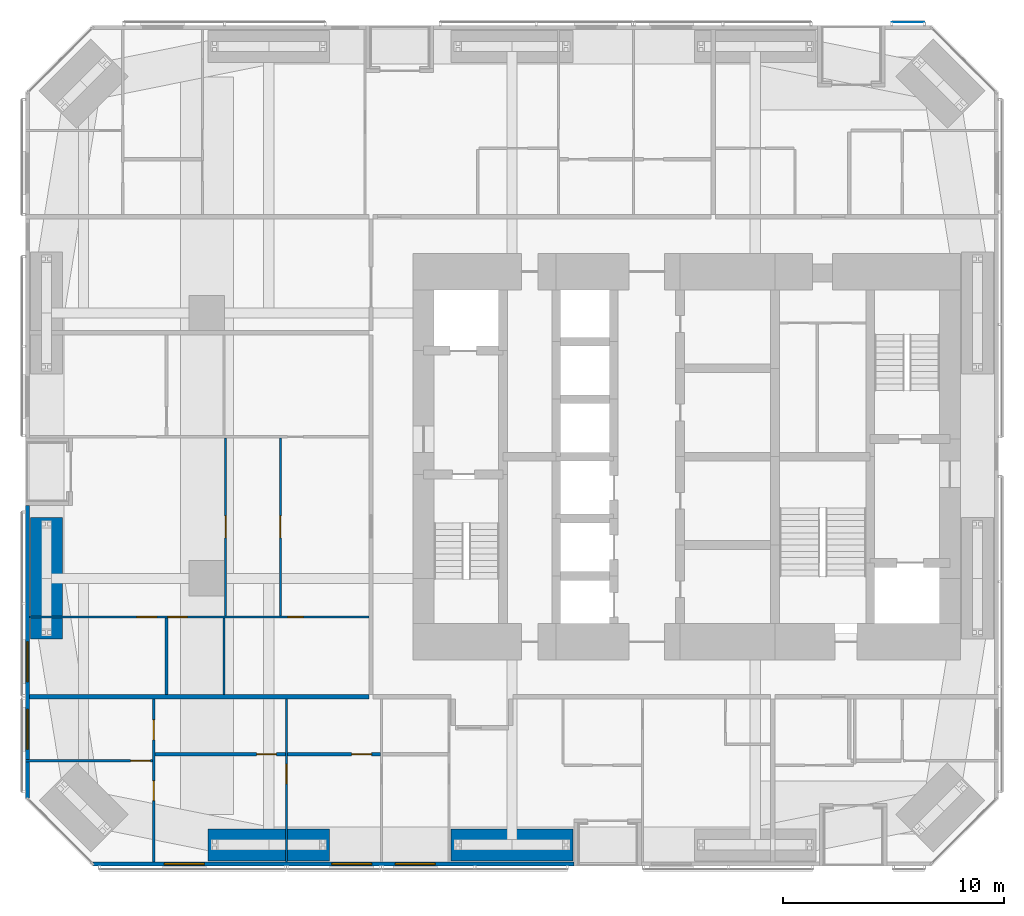
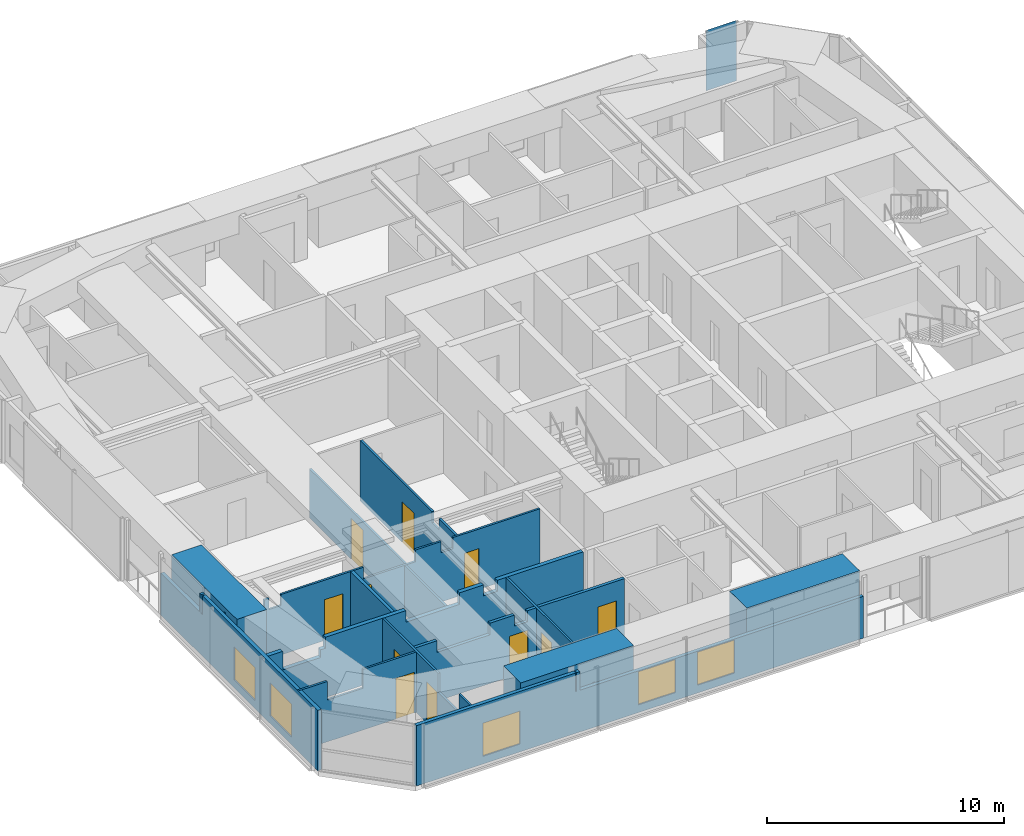
# One storey, part 17 of 24: 16 walls, 11 doors, 5 windows, 1 plate, 16 openings, 1 element without a shape of its own.
"""IFC4 building model written with IfcOpenShell, lengths in metres."""

from ifc_helpers import new_model, si_unit, direction, frame, frame_2d, origin, origin_2d, place, context, subcontext, project, spatial, polyline, rectangle, outline, extrude, material, layer, layer_set, constituent, constituent_set, type_object, element, fill, aggregate, save


model = new_model("IFC4")

# Units and contexts
model_context = context("Model", 3, precision=1e-05, world=origin(), true_north=direction((0.0, 1.0)))
body_context = subcontext(model_context, "Body", "Model", "MODEL_VIEW")
ifc_project = project(units=[si_unit("LENGTHUNIT", "METRE"), si_unit("AREAUNIT", "SQUARE_METRE"), si_unit("VOLUMEUNIT", "CUBIC_METRE"), si_unit("PLANEANGLEUNIT", "RADIAN"), si_unit("MASSUNIT", "GRAM", prefix="KILO")], contexts=[model_context])

# Site, building, storey
site_placement = place(None, origin())
site = spatial("IfcSite", under=ifc_project, at=site_placement, CompositionType="ELEMENT")
building_placement = place(site_placement, origin())
building = spatial("IfcBuilding", under=site, at=building_placement, Name="Jalousie Tower", CompositionType="ELEMENT")
storey_placement = place(building_placement, frame((0.0, 0.0, 61.199951171875)))
storey = spatial("IfcBuildingStorey", under=building, at=storey_placement, Name="L16", CompositionType="ELEMENT", Elevation=61.199951171875)

# Curtain wall, plate
ifc_material_1 = material(Name="Perforated aluminium sheet", Category="aluminium")
curtain_wall_type = type_object("IfcCurtainWallType", Name="SOLAR SCREEN SS-1", PredefinedType="USERDEFINED", material=ifc_material_1)
curtain_wall_placement = place(storey_placement, origin())
curtain_wall = element("IfcCurtainWall", 1, at=curtain_wall_placement, inside=storey, type_object=curtain_wall_type, Name="Solar screen L16", ObjectType="SOLAR SCREEN SS-1", PredefinedType="USERDEFINED")
ifc_material_2 = material(Name="Perforated aluminium sheet", Category="aluminium")
ifc_layer_1 = layer(ifc_material_2, 0.006103515625)
ifc_layer_set_1 = layer_set([ifc_layer_1], Name="Perforated aluminium sheet")
plate_type = type_object("IfcPlateType", Name="SOLAR SCREEN SS-1 PANEL", PredefinedType="CURTAIN_PANEL", material=ifc_layer_set_1)
plate_placement = place(storey_placement, frame((41.9111328125, 38.150390625, 0.0), z_axis=(0.0, 0.0, 1.0), x_axis=(-1.0, 0.0, 0.0)))
plate = element("IfcPlate", 2, at=plate_placement, type_object=plate_type, Name="SS1 perforated panel 1", PredefinedType="CURTAIN_PANEL", context=body_context, shape_type="SweptSolid", body=[
    extrude(rectangle(XDim=1.47509765625, YDim=0.006103515625, at=origin_2d()), origin(), (0.0, 0.0, 1.0), 3.110107421875),
])
aggregate(curtain_wall, [plate])

# Wall, opening, door
ifc_material_3 = material(Name="Concrete block ASTM C90", Category="concrete")
ifc_constituent_1 = constituent(ifc_material_3, Name="Body")
ifc_material_4 = material(Name="Render")
ifc_constituent_2 = constituent(ifc_material_4, Name="Finish")
ifc_constituent_set_1 = constituent_set(constituents=[ifc_constituent_1, ifc_constituent_2])
wall_type_1 = type_object("IfcWallType", Name="BATHROOM WALL 150", PredefinedType="PLUMBINGWALL", material=ifc_constituent_set_1)
wall_1_placement = place(storey_placement, frame((7.85009765625, 5.050048828125, 0.0), z_axis=(0.0, 0.0, 1.0), x_axis=(1.0, 0.0, 0.0)))
wall_1 = element("IfcWall", 3, at=wall_1_placement, inside=storey, type_object=wall_type_1, Name="Bathroom Wall 150 L16", PredefinedType="PLUMBINGWALL", context=body_context, shape_type="SweptSolid", body=[
    extrude(outline(polyline([(0.0, 0.0), (5.89990234375, 0.0), (5.89990234375, 3.110107421875), (5.46240234375, 3.110107421875), (5.46240234375, 2.541015625), (4.837646484375, 2.541015625), (4.837646484375, 3.110107421875), (3.635009765625, 3.110107421875), (3.635009765625, 2.510009765625), (1.06494140625, 2.510009765625), (1.06494140625, 3.110107421875), (0.0, 3.110107421875), (0.0, 0.0)])), frame((0.0, 0.074951171875, 0.0), z_axis=(0.0, -1.0, 0.0), x_axis=(1.0, 0.0, 0.0)), (0.0, 0.0, 1.0), 0.14990234375),
])
opening_1_placement = place(wall_1_placement, frame((4.60009765625, 0.0, 0.0)))
opening_1 = element("IfcOpeningElement", 4, at=opening_1_placement, cuts=wall_1, Name="Opening D3", PredefinedType="OPENING", context=body_context, shape_type="SweptSolid", body=[
    extrude(rectangle(XDim=0.89990234375, YDim=2.10009765625, at=frame_2d((0.449951171875, 1.050048828125))), frame((0.0, 0.0849609375, 0.0), z_axis=(0.0, -1.0, 0.0), x_axis=(1.0, 0.0, 0.0)), (0.0, 0.0, 1.0), 0.169921875),
])
ifc_material_5 = material(Name="Timber door", Category="wood")
door_type_1 = type_object("IfcDoorType", Name="BATHROOM DOOR 900", OperationType="SINGLE_SWING_LEFT", PredefinedType="DOOR", material=ifc_material_5)
door_1_placement = place(opening_1_placement, origin())
door_1 = element("IfcDoor", 5, at=door_1_placement, inside=storey, type_object=door_type_1, Name="Apartment 1601 bedroom 2 bathroom door", OperationType="SINGLE_SWING_RIGHT", OverallHeight=2.10009765625, OverallWidth=0.89990234375, PredefinedType="DOOR", context=body_context, shape_type="SweptSolid", body=[
    extrude(rectangle(XDim=0.89990234375, YDim=2.10009765625, at=frame_2d((0.449951171875, 1.050048828125))), frame((0.0, 0.02490234375, 0.0), z_axis=(0.0, -1.0, 0.0), x_axis=(1.0, 0.0, 0.0)), (0.0, 0.0, 1.0), 0.050048828125),
])
fill(opening_1, door_1)

wall_2_placement = place(storey_placement, frame((13.85009765625, 5.050048828125, 0.0), z_axis=(0.0, 0.0, 1.0), x_axis=(1.0, 0.0, 0.0)))
wall_2 = element("IfcWall", 6, at=wall_2_placement, inside=storey, type_object=wall_type_1, Name="Bathroom Wall 150 L16", PredefinedType="PLUMBINGWALL", context=body_context, shape_type="SweptSolid", body=[
    extrude(rectangle(XDim=4.199951171875, YDim=0.14990234375, at=frame_2d((2.10009765625, 0.0))), origin(), (0.0, 0.0, 1.0), 3.110107421875),
])
opening_2_placement = place(wall_2_placement, frame((2.89990234375, 0.0, 0.0)))
opening_2 = element("IfcOpeningElement", 7, at=opening_2_placement, cuts=wall_2, Name="Opening D3", PredefinedType="OPENING", context=body_context, shape_type="SweptSolid", body=[
    extrude(rectangle(XDim=0.89990234375, YDim=2.10009765625, at=frame_2d((0.449951171875, 1.050048828125))), frame((0.0, 0.0849609375, 0.0), z_axis=(0.0, -1.0, 0.0), x_axis=(1.0, 0.0, 0.0)), (0.0, 0.0, 1.0), 0.169921875),
])
door_2_placement = place(opening_2_placement, origin())
door_2 = element("IfcDoor", 8, at=door_2_placement, inside=storey, type_object=door_type_1, Name="Apartment 1601 bedroom 3 bathroom door", OperationType="SINGLE_SWING_RIGHT", OverallHeight=2.10009765625, OverallWidth=0.89990234375, PredefinedType="DOOR", context=body_context, shape_type="SweptSolid", body=[
    extrude(rectangle(XDim=0.89990234375, YDim=2.10009765625, at=frame_2d((0.449951171875, 1.050048828125))), frame((0.0, 0.02490234375, 0.0), z_axis=(0.0, -1.0, 0.0), x_axis=(1.0, 0.0, 0.0)), (0.0, 0.0, 1.0), 0.050048828125),
])
fill(opening_2, door_2)

# Wall
wall_3_placement = place(storey_placement, frame((8.375, 7.75, 0.0), z_axis=(0.0, 0.0, 1.0), x_axis=(0.0, 1.0, 0.0)))
element("IfcWall", 9, at=wall_3_placement, inside=storey, type_object=wall_type_1, Name="Bathroom Wall 150 L16", PredefinedType="PLUMBINGWALL", context=body_context, shape_type="SweptSolid", body=[
    extrude(rectangle(XDim=3.449951171875, YDim=0.14990234375, at=frame_2d((1.72509765625, 0.0))), origin(), (0.0, 0.0, 1.0), 3.110107421875),
])

# Wall, openings, windows
ifc_material_6 = material(Name="Concrete f'c 40 MPa", Category="concrete")
ifc_constituent_3 = constituent(ifc_material_6, Name="Body")
ifc_material_7 = material(Name="Render, pastel coral")
ifc_constituent_4 = constituent(ifc_material_7, Name="Finish")
ifc_constituent_set_2 = constituent_set(constituents=[ifc_constituent_3, ifc_constituent_4])
wall_type_2 = type_object("IfcWallType", Name="EXTERNAL WALL 175 CORAL RENDER", PredefinedType="SOLIDWALL", material=ifc_constituent_set_2)
wall_4_placement = place(storey_placement, frame((5.05126953125, 0.08740234375, 0.0), z_axis=(0.0, 0.0, 1.0), x_axis=(1.0, 0.0, 0.0)))
wall_4 = element("IfcWall", 10, at=wall_4_placement, inside=storey, type_object=wall_type_2, Name="External Wall 175 Coral Render L16", PredefinedType="SOLIDWALL", context=body_context, shape_type="SweptSolid", body=[
    extrude(outline(polyline([(0.0, 0.0), (21.748779296875, 0.0), (21.748779296875, 2.150146484375), (7.94873046875, 2.150146484375), (7.94873046875, 3.110107421875), (7.79296875, 3.110107421875), (7.79296875, 2.150146484375), (7.74462890625, 2.150146484375), (7.74462890625, 3.110107421875), (0.0, 3.110107421875), (0.0, 0.0)])), frame((0.0, 0.08740234375, 0.0), z_axis=(0.0, -1.0, 0.0), x_axis=(1.0, 0.0, 0.0)), (0.0, 0.0, 1.0), 0.175048828125),
])
opening_3_placement = place(wall_4_placement, frame((3.233642578125, 0.0, 0.39990234375)))
opening_3 = element("IfcOpeningElement", 11, at=opening_3_placement, cuts=wall_4, Name="Opening W-BED170", PredefinedType="OPENING", context=body_context, shape_type="SweptSolid", body=[
    extrude(rectangle(XDim=1.800048828125, YDim=1.699951171875, at=frame_2d((0.89990234375, 0.85009765625))), frame((0.0, 0.097412109375, 0.0), z_axis=(0.0, -1.0, 0.0), x_axis=(1.0, 0.0, 0.0)), (0.0, 0.0, 1.0), 0.195068359375),
])
opening_4_placement = place(wall_4_placement, frame((10.80615234375, 0.0, 0.39990234375)))
opening_4 = element("IfcOpeningElement", 12, at=opening_4_placement, cuts=wall_4, Name="Opening W-BED170", PredefinedType="OPENING", context=body_context, shape_type="SweptSolid", body=[
    extrude(rectangle(XDim=1.800048828125, YDim=1.699951171875, at=frame_2d((0.89990234375, 0.85009765625))), frame((0.0, 0.097412109375, 0.0), z_axis=(0.0, -1.0, 0.0), x_axis=(1.0, 0.0, 0.0)), (0.0, 0.0, 1.0), 0.195068359375),
])
opening_5_placement = place(wall_4_placement, frame((13.673583984375, 0.0, 0.39990234375)))
opening_5 = element("IfcOpeningElement", 13, at=opening_5_placement, cuts=wall_4, Name="Opening W-BED170", PredefinedType="OPENING", context=body_context, shape_type="SweptSolid", body=[
    extrude(rectangle(XDim=1.800048828125, YDim=1.699951171875, at=frame_2d((0.89990234375, 0.85009765625))), frame((0.0, 0.097412109375, 0.0), z_axis=(0.0, -1.0, 0.0), x_axis=(1.0, 0.0, 0.0)), (0.0, 0.0, 1.0), 0.195068359375),
])
ifc_material_8 = material(Name="Aluminium frame, impact-rated glazing", Category="aluminium")
window_type = type_object("IfcWindowType", Name="WINDOW BED 1800x1700", PartitioningType="SINGLE_PANEL", PredefinedType="WINDOW", material=ifc_material_8)
window_1_placement = place(opening_3_placement, origin())
window_1 = element("IfcWindow", 14, at=window_1_placement, inside=storey, type_object=window_type, Name="Apartment 1601 bedroom 2 window", OverallHeight=1.699951171875, OverallWidth=1.800048828125, PartitioningType="SINGLE_PANEL", PredefinedType="WINDOW", context=body_context, shape_type="SweptSolid", body=[
    extrude(rectangle(XDim=1.800048828125, YDim=1.699951171875, at=frame_2d((0.89990234375, 0.85009765625))), frame((0.0, 0.030029296875, 0.0), z_axis=(0.0, -1.0, 0.0), x_axis=(1.0, 0.0, 0.0)), (0.0, 0.0, 1.0), 0.06005859375),
])
fill(opening_3, window_1)
window_2_placement = place(opening_4_placement, origin())
window_2 = element("IfcWindow", 15, at=window_2_placement, inside=storey, type_object=window_type, Name="Apartment 1601 bedroom 3 window", OverallHeight=1.699951171875, OverallWidth=1.800048828125, PartitioningType="SINGLE_PANEL", PredefinedType="WINDOW", context=body_context, shape_type="SweptSolid", body=[
    extrude(rectangle(XDim=1.800048828125, YDim=1.699951171875, at=frame_2d((0.89990234375, 0.85009765625))), frame((0.0, 0.030029296875, 0.0), z_axis=(0.0, -1.0, 0.0), x_axis=(1.0, 0.0, 0.0)), (0.0, 0.0, 1.0), 0.06005859375),
])
fill(opening_4, window_2)
window_3_placement = place(opening_5_placement, origin())
window_3 = element("IfcWindow", 16, at=window_3_placement, inside=storey, type_object=window_type, Name="Apartment 1601 bedroom 4 window", OverallHeight=1.699951171875, OverallWidth=1.800048828125, PartitioningType="SINGLE_PANEL", PredefinedType="WINDOW", context=body_context, shape_type="SweptSolid", body=[
    extrude(rectangle(XDim=1.800048828125, YDim=1.699951171875, at=frame_2d((0.89990234375, 0.85009765625))), frame((0.0, 0.030029296875, 0.0), z_axis=(0.0, -1.0, 0.0), x_axis=(1.0, 0.0, 0.0)), (0.0, 0.0, 1.0), 0.06005859375),
])
fill(opening_5, window_3)

wall_5_placement = place(storey_placement, frame((2.08740234375, 16.300048828125, 0.0), z_axis=(0.0, 0.0, 1.0), x_axis=(0.0, -1.0, 0.0)))
wall_5 = element("IfcWall", 17, at=wall_5_placement, inside=storey, type_object=wall_type_2, Name="External Wall 175 Coral Render L16", PredefinedType="SOLIDWALL", context=body_context, shape_type="SweptSolid", body=[
    extrude(outline(polyline([(0.0, 0.0), (13.248779296875, 0.0), (13.248779296875, 3.110107421875), (3.5185546875, 3.110107421875), (3.5185546875, 2.150146484375), (3.42578125, 2.150146484375), (3.42578125, 3.110107421875), (3.300048828125, 3.110107421875), (3.300048828125, 2.150146484375), (0.0, 2.150146484375), (0.0, 0.0)])), frame((0.0, 0.08740234375, 0.0), z_axis=(0.0, -1.0, 0.0), x_axis=(1.0, 0.0, 0.0)), (0.0, 0.0, 1.0), 0.175048828125),
])
opening_6_placement = place(wall_5_placement, frame((6.175048828125, 0.0, 0.39990234375)))
opening_6 = element("IfcOpeningElement", 18, at=opening_6_placement, cuts=wall_5, Name="Opening W-BED170", PredefinedType="OPENING", context=body_context, shape_type="SweptSolid", body=[
    extrude(rectangle(XDim=1.800048828125, YDim=1.699951171875, at=frame_2d((0.89990234375, 0.85009765625))), frame((0.0, 0.097412109375, 0.0), z_axis=(0.0, -1.0, 0.0), x_axis=(1.0, 0.0, 0.0)), (0.0, 0.0, 1.0), 0.195068359375),
])
opening_7_placement = place(wall_5_placement, frame((9.226806640625, 0.0, 0.39990234375)))
opening_7 = element("IfcOpeningElement", 19, at=opening_7_placement, cuts=wall_5, Name="Opening W-BED170", PredefinedType="OPENING", context=body_context, shape_type="SweptSolid", body=[
    extrude(rectangle(XDim=1.800048828125, YDim=1.699951171875, at=frame_2d((0.89990234375, 0.85009765625))), frame((0.0, 0.097412109375, 0.0), z_axis=(0.0, -1.0, 0.0), x_axis=(1.0, 0.0, 0.0)), (0.0, 0.0, 1.0), 0.195068359375),
])
window_4_placement = place(opening_6_placement, origin())
window_4 = element("IfcWindow", 20, at=window_4_placement, inside=storey, type_object=window_type, Name="Apartment 1605 bedroom 1 window", OverallHeight=1.699951171875, OverallWidth=1.800048828125, PartitioningType="SINGLE_PANEL", PredefinedType="WINDOW", context=body_context, shape_type="SweptSolid", body=[
    extrude(rectangle(XDim=1.800048828125, YDim=1.699951171875, at=frame_2d((0.89990234375, 0.85009765625))), frame((0.0, 0.030029296875, 0.0), z_axis=(0.0, -1.0, 0.0), x_axis=(1.0, 0.0, 0.0)), (0.0, 0.0, 1.0), 0.06005859375),
])
fill(opening_6, window_4)
window_5_placement = place(opening_7_placement, origin())
window_5 = element("IfcWindow", 21, at=window_5_placement, inside=storey, type_object=window_type, Name="Apartment 1601 bedroom 1 window", OverallHeight=1.699951171875, OverallWidth=1.800048828125, PartitioningType="SINGLE_PANEL", PredefinedType="WINDOW", context=body_context, shape_type="SweptSolid", body=[
    extrude(rectangle(XDim=1.800048828125, YDim=1.699951171875, at=frame_2d((0.89990234375, 0.85009765625))), frame((0.0, 0.030029296875, 0.0), z_axis=(0.0, -1.0, 0.0), x_axis=(1.0, 0.0, 0.0)), (0.0, 0.0, 1.0), 0.06005859375),
])
fill(opening_7, window_5)

# Wall, openings, doors
ifc_material_9 = material(Name="Gypsum board", Category="gypsum")
ifc_constituent_5 = constituent(ifc_material_9, Name="Body")
ifc_material_10 = material(Name="Light-gauge steel studs ASTM A653 SS Grade 33", Category="steel")
ifc_constituent_6 = constituent(ifc_material_10, Name="Framing")
ifc_constituent_set_3 = constituent_set(constituents=[ifc_constituent_5, ifc_constituent_6])
wall_type_3 = type_object("IfcWallType", Name="PARTITION 100", PredefinedType="PARTITIONING", material=ifc_constituent_set_3)
wall_6_placement = place(storey_placement, frame((7.800048828125, 0.175048828125, 0.0), z_axis=(0.0, 0.0, 1.0), x_axis=(0.0, 1.0, 0.0)))
wall_6 = element("IfcWall", 22, at=wall_6_placement, inside=storey, type_object=wall_type_3, Name="Partition 100 L16", PredefinedType="PARTITIONING", context=body_context, shape_type="SweptSolid", body=[
    extrude(outline(polyline([(0.0, 0.0), (7.375, 0.0), (7.375, 3.110107421875), (2.697021484375, 3.110107421875), (2.697021484375, 2.150146484375), (0.942626953125, 2.150146484375), (0.942626953125, 3.110107421875), (0.0, 3.110107421875), (0.0, 0.0)])), frame((0.0, 0.050048828125, 0.0), z_axis=(0.0, -1.0, 0.0), x_axis=(1.0, 0.0, 0.0)), (0.0, 0.0, 1.0), 0.10009765625),
])
opening_8_placement = place(wall_6_placement, frame((2.771728515625, 0.0, 0.0)))
opening_8 = element("IfcOpeningElement", 23, at=opening_8_placement, cuts=wall_6, Name="Opening D2", PredefinedType="OPENING", context=body_context, shape_type="SweptSolid", body=[
    extrude(rectangle(XDim=0.89990234375, YDim=2.10009765625, at=frame_2d((0.449951171875, 1.050048828125))), frame((0.0, 0.06005859375, 0.0), z_axis=(0.0, -1.0, 0.0), x_axis=(1.0, 0.0, 0.0)), (0.0, 0.0, 1.0), 0.1201171875),
])
opening_9_placement = place(wall_6_placement, frame((5.523193359375, 0.0, 0.0)))
opening_9 = element("IfcOpeningElement", 24, at=opening_9_placement, cuts=wall_6, Name="Opening D3", PredefinedType="OPENING", context=body_context, shape_type="SweptSolid", body=[
    extrude(rectangle(XDim=0.89990234375, YDim=2.10009765625, at=frame_2d((0.449951171875, 1.050048828125))), frame((0.0, 0.06005859375, 0.0), z_axis=(0.0, -1.0, 0.0), x_axis=(1.0, 0.0, 0.0)), (0.0, 0.0, 1.0), 0.1201171875),
])
door_3_placement = place(opening_9_placement, frame((0.89990234375, 0.0, 0.0), z_axis=(0.0, 0.0, 1.0), x_axis=(-1.0, 0.0, 0.0)))
door_3 = element("IfcDoor", 25, at=door_3_placement, inside=storey, type_object=door_type_1, Name="Apartment 1601 bedroom 1 bathroom door", OperationType="SINGLE_SWING_RIGHT", OverallHeight=2.10009765625, OverallWidth=0.89990234375, PredefinedType="DOOR", context=body_context, shape_type="SweptSolid", body=[
    extrude(rectangle(XDim=0.89990234375, YDim=2.10009765625, at=frame_2d((0.449951171875, 1.050048828125))), frame((0.0, 0.02490234375, 0.0), z_axis=(0.0, -1.0, 0.0), x_axis=(1.0, 0.0, 0.0)), (0.0, 0.0, 1.0), 0.050048828125),
])
fill(opening_9, door_3)
ifc_material_11 = material(Name="Timber door", Category="wood")
door_type_2 = type_object("IfcDoorType", Name="BEDROOM DOOR 900", OperationType="SINGLE_SWING_LEFT", PredefinedType="DOOR", material=ifc_material_11)
door_4_placement = place(opening_8_placement, frame((0.89990234375, 0.0, 0.0), z_axis=(0.0, 0.0, 1.0), x_axis=(-1.0, 0.0, 0.0)))
door_4 = element("IfcDoor", 26, at=door_4_placement, inside=storey, type_object=door_type_2, Name="Apartment 1601 bedroom 1 door", OperationType="SINGLE_SWING_LEFT", OverallHeight=2.10009765625, OverallWidth=0.89990234375, PredefinedType="DOOR", context=body_context, shape_type="SweptSolid", body=[
    extrude(rectangle(XDim=0.89990234375, YDim=2.10009765625, at=frame_2d((0.449951171875, 1.050048828125))), frame((0.0, 0.02490234375, 0.0), z_axis=(0.0, -1.0, 0.0), x_axis=(1.0, 0.0, 0.0)), (0.0, 0.0, 1.0), 0.050048828125),
])
fill(opening_8, door_4)

# Wall, opening, door
wall_7_placement = place(storey_placement, frame((13.800048828125, 0.175048828125, 0.0), z_axis=(0.0, 0.0, 1.0), x_axis=(0.0, 1.0, 0.0)))
wall_7 = element("IfcWall", 27, at=wall_7_placement, inside=storey, type_object=wall_type_3, Name="Partition 100 L16", PredefinedType="PARTITIONING", context=body_context, shape_type="SweptSolid", body=[
    extrude(outline(polyline([(1.635009765625, 2.150146484375), (0.0, 2.150146484375), (0.0, 0.0), (7.375, 0.0), (7.375, 3.110107421875), (1.635009765625, 3.110107421875), (1.635009765625, 2.150146484375)]), holes=[polyline([(1.021240234375, 0.133056640625), (0.52880859375, 0.133056640625), (0.52880859375, 0.923095703125), (1.021240234375, 0.923095703125), (1.021240234375, 0.133056640625)]), polyline([(1.021240234375, 1.22705078125), (0.52880859375, 1.22705078125), (0.52880859375, 2.016845703125), (1.021240234375, 2.016845703125), (1.021240234375, 1.22705078125)])]), frame((0.0, 0.050048828125, 0.0), z_axis=(0.0, -1.0, 0.0), x_axis=(1.0, 0.0, 0.0)), (0.0, 0.0, 1.0), 0.10009765625),
])
opening_10_placement = place(wall_7_placement, frame((3.52490234375, 0.0, 0.0)))
opening_10 = element("IfcOpeningElement", 28, at=opening_10_placement, cuts=wall_7, Name="Opening D2", PredefinedType="OPENING", context=body_context, shape_type="SweptSolid", body=[
    extrude(rectangle(XDim=0.89990234375, YDim=2.10009765625, at=frame_2d((0.449951171875, 1.050048828125))), frame((0.0, 0.06005859375, 0.0), z_axis=(0.0, -1.0, 0.0), x_axis=(1.0, 0.0, 0.0)), (0.0, 0.0, 1.0), 0.1201171875),
])
door_5_placement = place(opening_10_placement, origin())
door_5 = element("IfcDoor", 29, at=door_5_placement, inside=storey, type_object=door_type_2, Name="Apartment 1601 bedroom 2 door", OperationType="SINGLE_SWING_RIGHT", OverallHeight=2.10009765625, OverallWidth=0.89990234375, PredefinedType="DOOR", context=body_context, shape_type="SweptSolid", body=[
    extrude(rectangle(XDim=0.89990234375, YDim=2.10009765625, at=frame_2d((0.449951171875, 1.050048828125))), frame((0.0, 0.02490234375, 0.0), z_axis=(0.0, -1.0, 0.0), x_axis=(1.0, 0.0, 0.0)), (0.0, 0.0, 1.0), 0.050048828125),
])
fill(opening_10, door_5)

wall_8_placement = place(storey_placement, frame((2.0, 4.74658203125, 0.0), z_axis=(0.0, 0.0, 1.0), x_axis=(1.0, 0.0, 0.0)))
wall_8 = element("IfcWall", 30, at=wall_8_placement, inside=storey, type_object=wall_type_3, Name="Partition 100 L16", PredefinedType="PARTITIONING", context=body_context, shape_type="SweptSolid", body=[
    extrude(outline(polyline([(0.0, 0.0), (5.75, 0.0), (5.75, 3.110107421875), (3.15966796875, 3.110107421875), (3.15966796875, 2.150146484375), (1.4169921875, 2.150146484375), (1.4169921875, 3.110107421875), (0.0, 3.110107421875), (0.0, 0.0)])), frame((0.0, 0.050048828125, 0.0), z_axis=(0.0, -1.0, 0.0), x_axis=(1.0, 0.0, 0.0)), (0.0, 0.0, 1.0), 0.10009765625),
])
opening_11_placement = place(wall_8_placement, frame((4.75, 0.0, 0.0)))
opening_11 = element("IfcOpeningElement", 31, at=opening_11_placement, cuts=wall_8, Name="Opening D7", PredefinedType="OPENING", context=body_context, shape_type="SweptSolid", body=[
    extrude(rectangle(XDim=0.89990234375, YDim=2.10009765625, at=frame_2d((0.449951171875, 1.050048828125))), frame((0.0, 0.06005859375, 0.0), z_axis=(0.0, -1.0, 0.0), x_axis=(1.0, 0.0, 0.0)), (0.0, 0.0, 1.0), 0.1201171875),
])
ifc_material_12 = material(Name="Timber door", Category="wood")
door_type_3 = type_object("IfcDoorType", Name="INTERNAL DOOR 900", OperationType="SINGLE_SWING_LEFT", PredefinedType="DOOR", material=ifc_material_12)
door_6_placement = place(opening_11_placement, origin())
door_6 = element("IfcDoor", 32, at=door_6_placement, inside=storey, type_object=door_type_3, Name="Apartment 1601 bedroom 1 dressing hall door", OperationType="SINGLE_SWING_RIGHT", OverallHeight=2.10009765625, OverallWidth=0.89990234375, PredefinedType="DOOR", context=body_context, shape_type="SweptSolid", body=[
    extrude(rectangle(XDim=0.89990234375, YDim=2.10009765625, at=frame_2d((0.449951171875, 1.050048828125))), frame((0.0, 0.02490234375, 0.0), z_axis=(0.0, -1.0, 0.0), x_axis=(1.0, 0.0, 0.0)), (0.0, 0.0, 1.0), 0.050048828125),
])
fill(opening_11, door_6)

# Wall, openings, doors
wall_9_placement = place(storey_placement, frame((2.175048828125, 11.25, 0.0), z_axis=(0.0, 0.0, 1.0), x_axis=(1.0, 0.0, 0.0)))
wall_9 = element("IfcWall", 33, at=wall_9_placement, inside=storey, type_object=wall_type_3, Name="Partition 100 L16", PredefinedType="PARTITIONING", context=body_context, shape_type="SweptSolid", body=[
    extrude(outline(polyline([(0.1875, 3.110107421875), (0.0, 3.110107421875), (0.0, 0.0), (0.52880859375, 0.0), (0.52880859375, 0.2734375), (1.021240234375, 0.2734375), (1.021240234375, 0.0), (15.35009765625, 0.0), (15.35009765625, 3.110107421875), (11.1123046875, 3.110107421875), (11.1123046875, 2.541015625), (10.53759765625, 2.541015625), (10.53759765625, 3.110107421875), (9.284912109375, 3.110107421875), (9.284912109375, 2.510009765625), (6.764892578125, 2.510009765625), (6.764892578125, 3.110107421875), (2.743896484375, 3.110107421875), (2.743896484375, 2.541015625), (2.169189453125, 2.541015625), (2.169189453125, 3.110107421875), (1.929931640625, 3.110107421875), (1.929931640625, 2.150146484375), (1.021240234375, 2.150146484375), (1.021240234375, 1.87646484375), (0.52880859375, 1.87646484375), (0.52880859375, 2.150146484375), (0.1875, 2.150146484375), (0.1875, 3.110107421875)])), frame((0.0, 0.050048828125, 0.0), z_axis=(0.0, -1.0, 0.0), x_axis=(1.0, 0.0, 0.0)), (0.0, 0.0, 1.0), 0.10009765625),
])
opening_12_placement = place(wall_9_placement, frame((4.85009765625, 0.0, 0.0)))
opening_12 = element("IfcOpeningElement", 34, at=opening_12_placement, cuts=wall_9, Name="Opening D2", PredefinedType="OPENING", context=body_context, shape_type="SweptSolid", body=[
    extrude(rectangle(XDim=0.89990234375, YDim=2.10009765625, at=frame_2d((0.449951171875, 1.050048828125))), frame((0.0, 0.06005859375, 0.0), z_axis=(0.0, -1.0, 0.0), x_axis=(1.0, 0.0, 0.0)), (0.0, 0.0, 1.0), 0.1201171875),
])
opening_13_placement = place(wall_9_placement, frame((6.25, 0.0, 0.0)))
opening_13 = element("IfcOpeningElement", 35, at=opening_13_placement, cuts=wall_9, Name="Opening D7", PredefinedType="OPENING", context=body_context, shape_type="SweptSolid", body=[
    extrude(rectangle(XDim=0.89990234375, YDim=2.10009765625, at=frame_2d((0.449951171875, 1.050048828125))), frame((0.0, 0.06005859375, 0.0), z_axis=(0.0, -1.0, 0.0), x_axis=(1.0, 0.0, 0.0)), (0.0, 0.0, 1.0), 0.1201171875),
])
opening_14_placement = place(wall_9_placement, frame((11.675048828125, 0.0, 0.0)))
opening_14 = element("IfcOpeningElement", 36, at=opening_14_placement, cuts=wall_9, Name="Opening D4", PredefinedType="OPENING", context=body_context, shape_type="SweptSolid", body=[
    extrude(rectangle(XDim=0.699951171875, YDim=2.10009765625, at=frame_2d((0.35009765625, 1.050048828125))), frame((0.0, 0.06005859375, 0.0), z_axis=(0.0, -1.0, 0.0), x_axis=(1.0, 0.0, 0.0)), (0.0, 0.0, 1.0), 0.1201171875),
])
door_7_placement = place(opening_12_placement, frame((0.89990234375, 0.0, 0.0), z_axis=(0.0, 0.0, 1.0), x_axis=(-1.0, 0.0, 0.0)))
door_7 = element("IfcDoor", 37, at=door_7_placement, inside=storey, type_object=door_type_2, Name="Apartment 1605 bedroom 1 door", OperationType="SINGLE_SWING_LEFT", OverallHeight=2.10009765625, OverallWidth=0.89990234375, PredefinedType="DOOR", context=body_context, shape_type="SweptSolid", body=[
    extrude(rectangle(XDim=0.89990234375, YDim=2.10009765625, at=frame_2d((0.449951171875, 1.050048828125))), frame((0.0, 0.02490234375, 0.0), z_axis=(0.0, -1.0, 0.0), x_axis=(1.0, 0.0, 0.0)), (0.0, 0.0, 1.0), 0.050048828125),
])
fill(opening_12, door_7)
door_8_placement = place(opening_13_placement, frame((0.89990234375, 0.0, 0.0), z_axis=(0.0, 0.0, 1.0), x_axis=(-1.0, 0.0, 0.0)))
door_8 = element("IfcDoor", 38, at=door_8_placement, inside=storey, type_object=door_type_3, Name="Apartment 1605 bathroom door", OperationType="SINGLE_SWING_RIGHT", OverallHeight=2.10009765625, OverallWidth=0.89990234375, PredefinedType="DOOR", context=body_context, shape_type="SweptSolid", body=[
    extrude(rectangle(XDim=0.89990234375, YDim=2.10009765625, at=frame_2d((0.449951171875, 1.050048828125))), frame((0.0, 0.02490234375, 0.0), z_axis=(0.0, -1.0, 0.0), x_axis=(1.0, 0.0, 0.0)), (0.0, 0.0, 1.0), 0.050048828125),
])
fill(opening_13, door_8)
ifc_material_13 = material(Name="Timber door", Category="wood")
door_type_4 = type_object("IfcDoorType", Name="STORE DOOR 700", OperationType="SINGLE_SWING_LEFT", PredefinedType="DOOR", material=ifc_material_13)
door_9_placement = place(opening_14_placement, frame((0.699951171875, 0.0, 0.0), z_axis=(0.0, 0.0, 1.0), x_axis=(-1.0, 0.0, 0.0)))
door_9 = element("IfcDoor", 39, at=door_9_placement, inside=storey, type_object=door_type_4, Name="Apartment 1605 store door", OperationType="SINGLE_SWING_RIGHT", OverallHeight=2.10009765625, OverallWidth=0.699951171875, PredefinedType="DOOR", context=body_context, shape_type="SweptSolid", body=[
    extrude(rectangle(XDim=0.699951171875, YDim=2.10009765625, at=frame_2d((0.35009765625, 1.050048828125))), frame((0.0, 0.02490234375, 0.0), z_axis=(0.0, -1.0, 0.0), x_axis=(1.0, 0.0, 0.0)), (0.0, 0.0, 1.0), 0.050048828125),
])
fill(opening_14, door_9)

# Wall
wall_10_placement = place(storey_placement, frame((10.97509765625, 7.75, 0.0), z_axis=(0.0, 0.0, 1.0), x_axis=(0.0, 1.0, 0.0)))
element("IfcWall", 40, at=wall_10_placement, inside=storey, type_object=wall_type_3, Name="Partition 100 L16", PredefinedType="PARTITIONING", context=body_context, shape_type="SweptSolid", body=[
    extrude(outline(polyline([(0.0, 0.0), (3.449951171875, 0.0), (3.449951171875, 3.110107421875), (3.449951171875, 2.510009765625), (0.0, 2.510009765625), (0.0, 3.110107421875), (0.0, 0.0)])), frame((0.0, 0.050048828125, 0.0), z_axis=(0.0, -1.0, 0.0), x_axis=(1.0, 0.0, 0.0)), (0.0, 0.0, 1.0), 0.10009765625),
])

# Wall, opening, door
wall_11_placement = place(storey_placement, frame((13.52490234375, 11.300048828125, 0.0), z_axis=(0.0, 0.0, 1.0), x_axis=(0.0, 1.0, 0.0)))
wall_11 = element("IfcWall", 41, at=wall_11_placement, inside=storey, type_object=wall_type_3, Name="Partition 100 L16", PredefinedType="PARTITIONING", context=body_context, shape_type="SweptSolid", body=[
    extrude(outline(polyline([(0.0, 0.0), (8.050048828125, 0.0), (8.050048828125, 3.110107421875), (1.9873046875, 3.110107421875), (1.9873046875, 2.541015625), (1.41259765625, 2.541015625), (1.41259765625, 3.110107421875), (0.0, 3.110107421875), (0.0, 0.0)])), frame((0.0, 0.050048828125, 0.0), z_axis=(0.0, -1.0, 0.0), x_axis=(1.0, 0.0, 0.0)), (0.0, 0.0, 1.0), 0.10009765625),
])
opening_15_placement = place(wall_11_placement, frame((3.52490234375, 0.0, 0.0)))
opening_15 = element("IfcOpeningElement", 42, at=opening_15_placement, cuts=wall_11, Name="Opening D6", PredefinedType="OPENING", context=body_context, shape_type="SweptSolid", body=[
    extrude(rectangle(XDim=1.0, YDim=2.10009765625, at=frame_2d((0.5, 1.050048828125))), frame((0.0, 0.06005859375, 0.0), z_axis=(0.0, -1.0, 0.0), x_axis=(1.0, 0.0, 0.0)), (0.0, 0.0, 1.0), 0.1201171875),
])
ifc_material_14 = material(Name="Timber door", Category="wood")
door_type_5 = type_object("IfcDoorType", Name="INTERNAL DOOR 1000", OperationType="SINGLE_SWING_LEFT", PredefinedType="DOOR", material=ifc_material_14)
door_10_placement = place(opening_15_placement, frame((1.0, 0.0, 0.0), z_axis=(0.0, 0.0, 1.0), x_axis=(-1.0, 0.0, 0.0)))
door_10 = element("IfcDoor", 43, at=door_10_placement, inside=storey, type_object=door_type_5, Name="Apartment 1605 living room door", OperationType="SINGLE_SWING_RIGHT", OverallHeight=2.10009765625, OverallWidth=1.0, PredefinedType="DOOR", context=body_context, shape_type="SweptSolid", body=[
    extrude(rectangle(XDim=1.0, YDim=2.10009765625, at=frame_2d((0.5, 1.050048828125))), frame((0.0, 0.02490234375, 0.0), z_axis=(0.0, -1.0, 0.0), x_axis=(1.0, 0.0, 0.0)), (0.0, 0.0, 1.0), 0.050048828125),
])
fill(opening_15, door_10)

wall_12_placement = place(storey_placement, frame((11.050048828125, 11.300048828125, 0.0), z_axis=(0.0, 0.0, 1.0), x_axis=(0.0, 1.0, 0.0)))
wall_12 = element("IfcWall", 44, at=wall_12_placement, inside=storey, type_object=wall_type_3, Name="Partition 100 L16", PredefinedType="PARTITIONING", context=body_context, shape_type="SweptSolid", body=[
    extrude(rectangle(XDim=8.050048828125, YDim=0.10009765625, at=frame_2d((4.02490234375, 0.0))), origin(), (0.0, 0.0, 1.0), 2.510009765625),
])
opening_16_placement = place(wall_12_placement, frame((3.52490234375, 0.0, 0.0)))
opening_16 = element("IfcOpeningElement", 45, at=opening_16_placement, cuts=wall_12, Name="Opening D6", PredefinedType="OPENING", context=body_context, shape_type="SweptSolid", body=[
    extrude(rectangle(XDim=1.0, YDim=2.10009765625, at=frame_2d((0.5, 1.050048828125))), frame((0.0, 0.06005859375, 0.0), z_axis=(0.0, -1.0, 0.0), x_axis=(1.0, 0.0, 0.0)), (0.0, 0.0, 1.0), 0.1201171875),
])
door_11_placement = place(opening_16_placement, origin())
door_11 = element("IfcDoor", 46, at=door_11_placement, inside=storey, type_object=door_type_5, Name="Apartment 1605 hall door", OperationType="SINGLE_SWING_LEFT", OverallHeight=2.10009765625, OverallWidth=1.0, PredefinedType="DOOR", context=body_context, shape_type="SweptSolid", body=[
    extrude(rectangle(XDim=1.0, YDim=2.10009765625, at=frame_2d((0.5, 1.050048828125))), frame((0.0, 0.02490234375, 0.0), z_axis=(0.0, -1.0, 0.0), x_axis=(1.0, 0.0, 0.0)), (0.0, 0.0, 1.0), 0.050048828125),
])
fill(opening_16, door_11)

# Walls
ifc_material_15 = material(Name="Concrete block ASTM C90", Category="concrete")
ifc_constituent_7 = constituent(ifc_material_15, Name="Body")
ifc_material_16 = material(Name="Render")
ifc_constituent_8 = constituent(ifc_material_16, Name="Finish")
ifc_constituent_set_4 = constituent_set(constituents=[ifc_constituent_7, ifc_constituent_8])
wall_type_4 = type_object("IfcWallType", Name="PARTY WALL 200", PredefinedType="PARTITIONING", material=ifc_constituent_set_4)
wall_13_placement = place(storey_placement, frame((2.0, 7.64990234375, 0.0), z_axis=(0.0, 0.0, 1.0), x_axis=(1.0, 0.0, 0.0)))
element("IfcWall", 47, at=wall_13_placement, inside=storey, type_object=wall_type_4, Name="Party Wall 200 L16", PredefinedType="PARTITIONING", context=body_context, shape_type="SweptSolid", body=[
    extrude(outline(polyline([(0.0, 0.0), (15.52490234375, 0.0), (15.52490234375, 3.110107421875), (11.33740234375, 3.110107421875), (11.33740234375, 2.541015625), (10.66259765625, 2.541015625), (10.66259765625, 3.110107421875), (9.510009765625, 3.110107421875), (9.510009765625, 2.510009765625), (6.889892578125, 2.510009765625), (6.889892578125, 3.110107421875), (2.96875, 3.110107421875), (2.96875, 2.541015625), (2.739501953125, 2.541015625), (2.739501953125, 2.150146484375), (0.895751953125, 2.150146484375), (0.895751953125, 3.110107421875), (0.0, 3.110107421875), (0.0, 0.0)])), frame((0.0, 0.10009765625, 0.0), z_axis=(0.0, -1.0, 0.0), x_axis=(1.0, 0.0, 0.0)), (0.0, 0.0, 1.0), 0.199951171875),
])
ifc_material_17 = material(Name="Concrete f'c 120 MPa", Category="concrete")
ifc_layer_2 = layer(ifc_material_17, 1.449951171875)
ifc_layer_set_2 = layer_set([ifc_layer_2], Name="Concrete f'c 120 MPa")
wall_type_5 = type_object("IfcWallType", Name="RC WALL PIER 1450", PredefinedType="SHEAR", material=ifc_layer_set_2)
for number, where, z_axis, x_axis, name in (
    (48, (10.25, 0.949951171875, 0.0), (0.0, 0.0, 1.0), (1.0, 0.0, 0.0), "Wall pier 02 L16"),
    (49, (21.25, 0.949951171875, 0.0), (0.0, 0.0, 1.0), (1.0, 0.0, 0.0), "Wall pier 03 L16"),
    (50, (2.949951171875, 10.25, 0.0), (0.0, 0.0, 1.0), (0.0, 1.0, 0.0), "Wall pier 14 L16"),
):
    element("IfcWall", number, at=place(storey_placement, frame(where, z_axis=z_axis, x_axis=x_axis)), inside=storey, type_object=wall_type_5, Name=name, PredefinedType="SHEAR", context=body_context, shape_type="SweptSolid", body=[
        extrude(rectangle(XDim=5.5, YDim=1.449951171875, at=frame_2d((2.75, 0.0))), origin(), (0.0, 0.0, 1.0), 3.35009765625),
    ])

save(model, "model.ifc")
